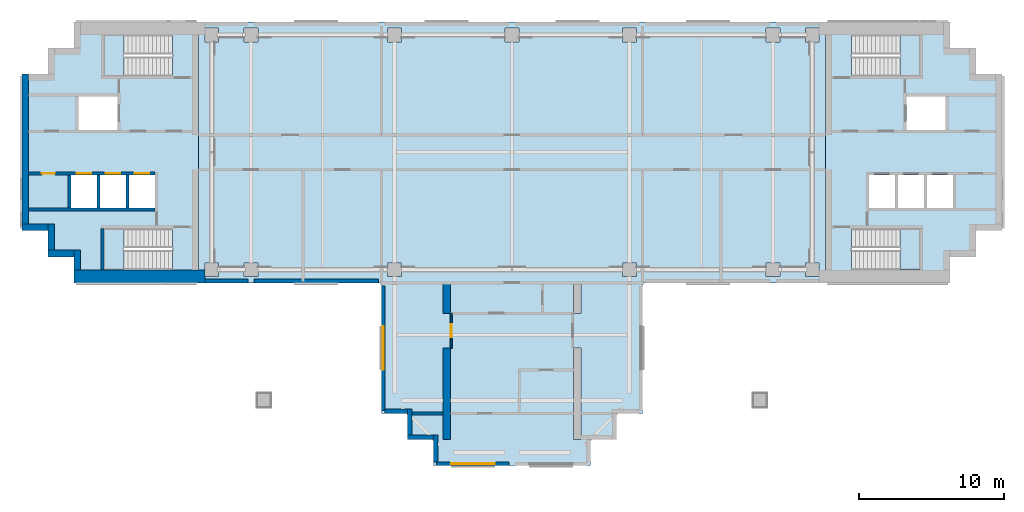
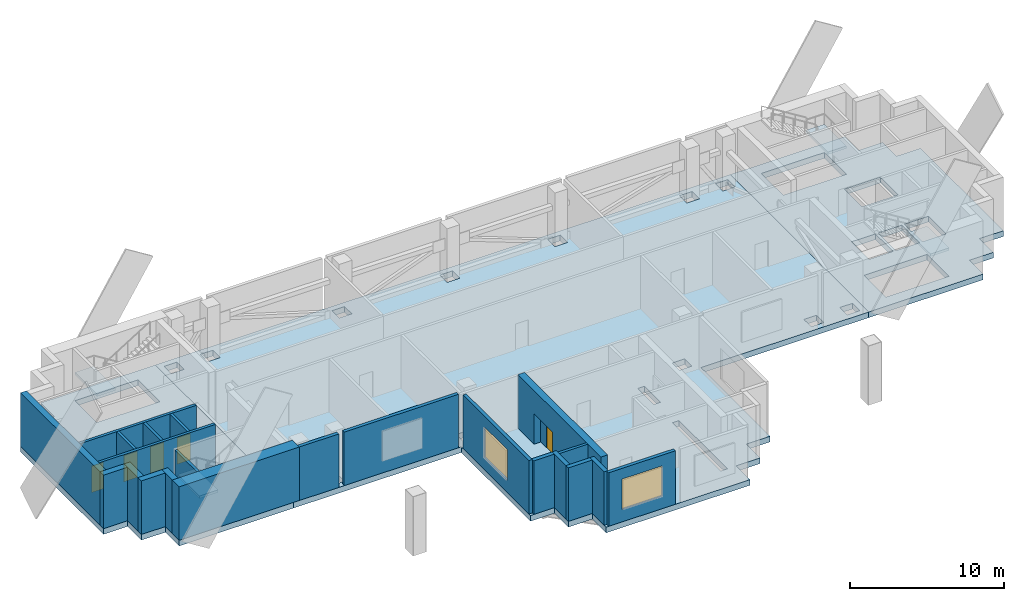
# One storey, part 2 of 8: 23 walls, 7 slabs, 5 doors, 2 windows, 7 openings, 4 elements without a shape of their own.
"""IFC4 building model written with IfcOpenShell, lengths in metres."""

from ifc_helpers import new_model, si_unit, direction, frame, frame_2d, origin, place, context, subcontext, project, spatial, polyline, rectangle, outline, extrude, material, layer, layer_set, material_profile, profile_set, type_object, element, fill, aggregate, save


model = new_model("IFC4")

# Units and contexts
model_context = context("Model", 3, precision=1e-05, world=origin(), true_north=direction((0.0, 1.0)))
body_context = subcontext(model_context, "Body", "Model", "MODEL_VIEW")
ifc_project = project(units=[si_unit("LENGTHUNIT", "METRE"), si_unit("AREAUNIT", "SQUARE_METRE"), si_unit("VOLUMEUNIT", "CUBIC_METRE"), si_unit("PLANEANGLEUNIT", "RADIAN"), si_unit("MASSUNIT", "GRAM", prefix="KILO")], contexts=[model_context])

# Site, building, storey
site_placement = place(None, origin())
site = spatial("IfcSite", under=ifc_project, at=site_placement, CompositionType="ELEMENT")
building_placement = place(site_placement, origin())
building = spatial("IfcBuilding", under=site, at=building_placement, Name="Perihelion Cross Residences", CompositionType="ELEMENT")
storey_placement = place(building_placement, frame((0.0, 0.0, 228.0)))
storey = spatial("IfcBuildingStorey", under=building, at=storey_placement, Name="L57", CompositionType="ELEMENT", Elevation=228.0)

# Slabs
ifc_material_1 = material(Name="Concrete C40/50", Category="concrete")
ifc_layer_1 = layer(ifc_material_1, 0.449951171875)
ifc_layer_set_1 = layer_set([ifc_layer_1], Name="Core floor slab 450")
slab_type_1 = type_object("IfcSlabType", Name="Core floor slab 450", PredefinedType="FLOOR", material=ifc_layer_set_1)
slab_1_placement = place(storey_placement, frame((0.0, 0.0, -0.449951171875)))
element("IfcSlab", 1, at=slab_1_placement, inside=storey, type_object=slab_type_1, Name="East core floor slab", PredefinedType="FLOOR", context=body_context, shape_type="SweptSolid", body=[
    extrude(outline(polyline([(30.199951171875, 7.199951171875), (32.0, 7.199951171875), (32.0, 5.39990234375), (33.800048828125, 5.39990234375), (33.800048828125, -5.39990234375), (32.0, -5.39990234375), (32.0, -7.199951171875), (30.199951171875, -7.199951171875), (30.199951171875, -9.0), (21.60009765625, -9.0), (21.60009765625, 9.0), (30.199951171875, 9.0), (30.199951171875, 7.199951171875)]), holes=[polyline([(28.14990234375, -8.10009765625), (28.14990234375, -5.25), (23.405029296875, -5.25), (23.405029296875, -8.10009765625), (28.14990234375, -8.10009765625)]), polyline([(24.60009765625, -1.550048828125), (24.60009765625, -3.85009765625), (26.39990234375, -3.85009765625), (26.39990234375, -1.550048828125), (24.60009765625, -1.550048828125)]), polyline([(26.60009765625, -1.550048828125), (26.60009765625, -3.85009765625), (28.39990234375, -3.85009765625), (28.39990234375, -1.550048828125), (26.60009765625, -1.550048828125)]), polyline([(28.60009765625, -3.85009765625), (30.39990234375, -3.85009765625), (30.39990234375, -1.550048828125), (28.60009765625, -1.550048828125), (28.60009765625, -3.85009765625)]), polyline([(27.199951171875, 3.85009765625), (27.199951171875, 1.550048828125), (29.89990234375, 1.550048828125), (29.89990234375, 3.85009765625), (27.199951171875, 3.85009765625)]), polyline([(23.405029296875, 5.25), (28.14990234375, 5.25), (28.14990234375, 8.10009765625), (23.405029296875, 8.10009765625), (23.405029296875, 5.25)])]), origin(), (0.0, 0.0, 1.0), 0.449951171875),
])
slab_2_placement = place(storey_placement, frame((0.0, 0.0, -0.449951171875)))
element("IfcSlab", 2, at=slab_2_placement, inside=storey, type_object=slab_type_1, Name="West core floor slab", PredefinedType="FLOOR", context=body_context, shape_type="SweptSolid", body=[
    extrude(outline(polyline([(-30.199951171875, 7.199951171875), (-32.0, 7.199951171875), (-32.0, 5.39990234375), (-33.800048828125, 5.39990234375), (-33.800048828125, -5.39990234375), (-32.0, -5.39990234375), (-32.0, -7.199951171875), (-30.199951171875, -7.199951171875), (-30.199951171875, -9.0), (-21.60009765625, -9.0), (-21.60009765625, 9.0), (-30.199951171875, 9.0), (-30.199951171875, 7.199951171875)]), holes=[polyline([(-28.14990234375, -8.10009765625), (-28.14990234375, -5.25), (-23.405029296875, -5.25), (-23.405029296875, -8.10009765625), (-28.14990234375, -8.10009765625)]), polyline([(-24.60009765625, -1.550048828125), (-24.60009765625, -3.85009765625), (-26.39990234375, -3.85009765625), (-26.39990234375, -1.550048828125), (-24.60009765625, -1.550048828125)]), polyline([(-26.60009765625, -1.550048828125), (-26.60009765625, -3.85009765625), (-28.39990234375, -3.85009765625), (-28.39990234375, -1.550048828125), (-26.60009765625, -1.550048828125)]), polyline([(-28.60009765625, -3.85009765625), (-30.39990234375, -3.85009765625), (-30.39990234375, -1.550048828125), (-28.60009765625, -1.550048828125), (-28.60009765625, -3.85009765625)]), polyline([(-27.199951171875, 3.85009765625), (-27.199951171875, 1.550048828125), (-29.89990234375, 1.550048828125), (-29.89990234375, 3.85009765625), (-27.199951171875, 3.85009765625)]), polyline([(-23.405029296875, 5.25), (-28.14990234375, 5.25), (-28.14990234375, 8.10009765625), (-23.405029296875, 8.10009765625), (-23.405029296875, 5.25)])]), origin(), (0.0, 0.0, 1.0), 0.449951171875),
])

# Stair, slab
ifc_material_2 = material(Name="Concrete C40/50", Category="concrete")
stair_type = type_object("IfcStairType", Name="Exit stair, half-turn", PredefinedType="HALF_TURN_STAIR", material=ifc_material_2)
stair_1_placement = place(storey_placement, origin())
stair_1 = element("IfcStair", 3, at=stair_1_placement, inside=storey, type_object=stair_type, Name="L57 East core exit stair 1", PredefinedType="HALF_TURN_STAIR")
ifc_material_3 = material(Name="Concrete C40/50", Category="concrete")
ifc_layer_2 = layer(ifc_material_3, 0.199951171875)
ifc_layer_set_2 = layer_set([ifc_layer_2], Name="Exit stair landing 200")
slab_type_2 = type_object("IfcSlabType", Name="Exit stair landing 200", PredefinedType="LANDING", material=ifc_layer_set_2)
slab_3_placement = place(storey_placement, frame((0.0, 0.0, 2.050048828125)))
slab_3 = element("IfcSlab", 4, at=slab_3_placement, type_object=slab_type_2, Name="ST-E1 landing 1", PredefinedType="LANDING", context=body_context, shape_type="SweptSolid", body=[
    extrude(outline(polyline([(26.760009765625, 5.25), (28.14990234375, 5.25), (28.14990234375, 8.10009765625), (26.760009765625, 8.10009765625), (26.760009765625, 5.25)])), origin(), (0.0, 0.0, 1.0), 0.199951171875),
])
aggregate(stair_1, [slab_3])

stair_2_placement = place(storey_placement, origin())
stair_2 = element("IfcStair", 5, at=stair_2_placement, inside=storey, type_object=stair_type, Name="L57 East core exit stair 2", PredefinedType="HALF_TURN_STAIR")
slab_4_placement = place(storey_placement, frame((0.0, 0.0, 2.050048828125)))
slab_4 = element("IfcSlab", 6, at=slab_4_placement, type_object=slab_type_2, Name="ST-E2 landing 1", PredefinedType="LANDING", context=body_context, shape_type="SweptSolid", body=[
    extrude(outline(polyline([(26.760009765625, -8.10009765625), (28.14990234375, -8.10009765625), (28.14990234375, -5.25), (26.760009765625, -5.25), (26.760009765625, -8.10009765625)])), origin(), (0.0, 0.0, 1.0), 0.199951171875),
])
aggregate(stair_2, [slab_4])

stair_3_placement = place(storey_placement, origin())
stair_3 = element("IfcStair", 7, at=stair_3_placement, inside=storey, type_object=stair_type, Name="L57 West core exit stair 1", PredefinedType="HALF_TURN_STAIR")
slab_5_placement = place(storey_placement, frame((0.0, 0.0, 2.050048828125)))
slab_5 = element("IfcSlab", 8, at=slab_5_placement, type_object=slab_type_2, Name="ST-W1 landing 1", PredefinedType="LANDING", context=body_context, shape_type="SweptSolid", body=[
    extrude(outline(polyline([(-26.760009765625, 8.10009765625), (-28.14990234375, 8.10009765625), (-28.14990234375, 5.25), (-26.760009765625, 5.25), (-26.760009765625, 8.10009765625)])), origin(), (0.0, 0.0, 1.0), 0.199951171875),
])
aggregate(stair_3, [slab_5])

stair_4_placement = place(storey_placement, origin())
stair_4 = element("IfcStair", 9, at=stair_4_placement, inside=storey, type_object=stair_type, Name="L57 West core exit stair 2", PredefinedType="HALF_TURN_STAIR")
slab_6_placement = place(storey_placement, frame((0.0, 0.0, 2.050048828125)))
slab_6 = element("IfcSlab", 10, at=slab_6_placement, type_object=slab_type_2, Name="ST-W2 landing 1", PredefinedType="LANDING", context=body_context, shape_type="SweptSolid", body=[
    extrude(outline(polyline([(-26.760009765625, -5.25), (-28.14990234375, -5.25), (-28.14990234375, -8.10009765625), (-26.760009765625, -8.10009765625), (-26.760009765625, -5.25)])), origin(), (0.0, 0.0, 1.0), 0.199951171875),
])
aggregate(stair_4, [slab_6])

# Slab
ifc_material_4 = material(Name="Concrete C50/60", Category="concrete")
ifc_layer_3 = layer(ifc_material_4, 0.449951171875)
ifc_layer_set_3 = layer_set([ifc_layer_3], Name="Refuge floor post-tensioned slab concrete C50/60")
slab_type_3 = type_object("IfcSlabType", Name="Refuge floor post-tensioned slab concrete C50/60", PredefinedType="FLOOR", material=ifc_layer_set_3)
slab_7_placement = place(storey_placement, frame((0.0, 0.0, -0.449951171875)))
element("IfcSlab", 11, at=slab_7_placement, inside=storey, type_object=slab_type_3, Name="Slab SL10 L57 1 no. 1", PredefinedType="FLOOR", context=body_context, shape_type="SweptSolid", body=[
    extrude(outline(polyline([(-9.0, 9.0), (9.0, 9.0), (21.60009765625, 9.0), (21.60009765625, -9.0), (9.0, -9.0), (9.0, -18.0), (7.199951171875, -18.0), (7.199951171875, -19.800048828125), (5.39990234375, -19.800048828125), (5.39990234375, -21.60009765625), (-5.39990234375, -21.60009765625), (-5.39990234375, -19.800048828125), (-7.199951171875, -19.800048828125), (-7.199951171875, -18.0), (-9.0, -18.0), (-9.0, -9.0), (-21.60009765625, -9.0), (-21.60009765625, 9.0), (-9.0, 9.0)]), holes=[polyline([(-4.25, -13.5), (-4.75, -13.5), (-4.75, -19.800048828125), (-4.25, -19.800048828125), (-4.25, -13.5)]), polyline([(-4.25, -9.0), (-4.75, -9.0), (-4.75, -11.10009765625), (-4.25, -11.10009765625), (-4.25, -9.0)]), polyline([(-20.22509765625, -7.625), (-21.175048828125, -7.625), (-21.175048828125, -8.574951171875), (-20.22509765625, -8.574951171875), (-20.22509765625, -7.625)]), polyline([(-17.52490234375, -7.625), (-18.47509765625, -7.625), (-18.47509765625, -8.574951171875), (-17.52490234375, -8.574951171875), (-17.52490234375, -7.625)]), polyline([(-7.625, -7.625), (-8.574951171875, -7.625), (-8.574951171875, -8.574951171875), (-7.625, -8.574951171875), (-7.625, -7.625)]), polyline([(-20.22509765625, 8.574951171875), (-21.175048828125, 8.574951171875), (-21.175048828125, 7.625), (-20.22509765625, 7.625), (-20.22509765625, 8.574951171875)]), polyline([(-17.52490234375, 7.625), (-17.52490234375, 8.574951171875), (-18.47509765625, 8.574951171875), (-18.47509765625, 7.625), (-17.52490234375, 7.625)]), polyline([(-7.625, 7.625), (-7.625, 8.574951171875), (-8.574951171875, 8.574951171875), (-8.574951171875, 7.625), (-7.625, 7.625)]), polyline([(0.47509765625, 8.574951171875), (-0.47509765625, 8.574951171875), (-0.47509765625, 7.625), (0.47509765625, 7.625), (0.47509765625, 8.574951171875)]), polyline([(4.75, -13.5), (4.25, -13.5), (4.25, -19.800048828125), (4.75, -19.800048828125), (4.75, -13.5)]), polyline([(4.75, -9.0), (4.25, -9.0), (4.25, -11.10009765625), (4.75, -11.10009765625), (4.75, -9.0)]), polyline([(8.574951171875, -8.574951171875), (8.574951171875, -7.625), (7.625, -7.625), (7.625, -8.574951171875), (8.574951171875, -8.574951171875)]), polyline([(18.47509765625, -8.574951171875), (18.47509765625, -7.625), (17.52490234375, -7.625), (17.52490234375, -8.574951171875), (18.47509765625, -8.574951171875)]), polyline([(21.175048828125, -7.625), (20.22509765625, -7.625), (20.22509765625, -8.574951171875), (21.175048828125, -8.574951171875), (21.175048828125, -7.625)]), polyline([(8.574951171875, 8.574951171875), (7.625, 8.574951171875), (7.625, 7.625), (8.574951171875, 7.625), (8.574951171875, 8.574951171875)]), polyline([(18.47509765625, 7.625), (18.47509765625, 8.574951171875), (17.52490234375, 8.574951171875), (17.52490234375, 7.625), (18.47509765625, 7.625)]), polyline([(21.175048828125, 7.625), (21.175048828125, 8.574951171875), (20.22509765625, 8.574951171875), (20.22509765625, 7.625), (21.175048828125, 7.625)])]), origin(), (0.0, 0.0, 1.0), 0.449951171875),
])

# Walls
ifc_material_5 = material(Name="Plasterboard partition")
ifc_layer_4 = layer(ifc_material_5, 0.199951171875)
ifc_layer_set_4 = layer_set([ifc_layer_4], Name="Apartment riser wall 200")
wall_type_1 = type_object("IfcWallType", Name="Apartment riser wall 200", PredefinedType="PARTITIONING", material=ifc_layer_set_4)
wall_1_placement = place(storey_placement, frame((-4.75, -18.0, 0.0), z_axis=(0.0, 0.0, 1.0), x_axis=(-1.0, 0.0, 0.0)))
element("IfcWall", 12, at=wall_1_placement, inside=storey, type_object=wall_type_1, Name="Partition L57 W018", PredefinedType="PARTITIONING", context=body_context, shape_type="SweptSolid", body=[
    extrude(rectangle(XDim=2.14990234375, YDim=0.199951171875, at=frame_2d((1.074951171875, 0.0))), origin(), (0.0, 0.0, 1.0), 4.25),
])
ifc_material_6 = material(Name="Concrete C30/37, bronze-clad", Category="concrete")
ifc_layer_5 = layer(ifc_material_6, 0.300048828125)
ifc_layer_set_5 = layer_set([ifc_layer_5], Name="Bronze-clad serration wall 300")
wall_type_2 = type_object("IfcWallType", Name="Bronze-clad serration wall 300", PredefinedType="SOLIDWALL", material=ifc_layer_set_5)
wall_2_placement = place(storey_placement, frame((-8.75, -17.85009765625, 0.0), z_axis=(0.0, 0.0, 1.0), x_axis=(1.0, 0.0, 0.0)))
element("IfcWall", 13, at=wall_2_placement, inside=storey, type_object=wall_type_2, Name="Wall SR1 L57 south corner south-west 1", PredefinedType="SOLIDWALL", context=body_context, shape_type="SweptSolid", body=[
    extrude(rectangle(XDim=1.550048828125, YDim=0.300048828125, at=frame_2d((0.77490234375, 0.0))), origin(), (0.0, 0.0, 1.0), 4.25),
])
for number, where, z_axis, x_axis, name in (
    (14, (-7.050048828125, -17.699951171875, 0.0), (0.0, 0.0, 1.0), (0.0, -1.0, 0.0), "Wall SR1 L57 south corner south-west 2"),
    (15, (-7.199951171875, -19.64990234375, 0.0), (0.0, 0.0, 1.0), (1.0, 0.0, 0.0), "Wall SR1 L57 south corner south-west 3"),
):
    element("IfcWall", number, at=place(storey_placement, frame(where, z_axis=z_axis, x_axis=x_axis)), inside=storey, type_object=wall_type_2, Name=name, PredefinedType="SOLIDWALL", context=body_context, shape_type="SweptSolid", body=[
        extrude(rectangle(XDim=1.800048828125, YDim=0.300048828125, at=frame_2d((0.89990234375, 0.0))), origin(), (0.0, 0.0, 1.0), 4.25),
    ])
wall_3_placement = place(storey_placement, frame((-5.25, -19.5, 0.0), z_axis=(0.0, 0.0, 1.0), x_axis=(0.0, -1.0, 0.0)))
element("IfcWall", 16, at=wall_3_placement, inside=storey, type_object=wall_type_2, Name="Wall SR1 L57 south corner south-west 4", PredefinedType="SOLIDWALL", context=body_context, shape_type="SweptSolid", body=[
    extrude(rectangle(XDim=1.85009765625, YDim=0.300048828125, at=frame_2d((0.925048828125, 0.0))), origin(), (0.0, 0.0, 1.0), 4.25),
])
ifc_material_7 = material(Name="Concrete C60/75", Category="concrete")
ifc_layer_6 = layer(ifc_material_7, 0.449951171875)
ifc_layer_set_6 = layer_set([ifc_layer_6], Name="Core wall, outer 450")
wall_type_3 = type_object("IfcWallType", Name="Core wall, outer 450", PredefinedType="SHEAR", material=ifc_layer_set_6)
wall_4_placement = place(storey_placement, frame((-29.97509765625, -8.10009765625, 0.0), z_axis=(0.0, 0.0, 1.0), x_axis=(0.0, 1.0, 0.0)))
element("IfcWall", 17, at=wall_4_placement, inside=storey, type_object=wall_type_3, Name="West core core wall, outer", PredefinedType="SHEAR", context=body_context, shape_type="SweptSolid", body=[
    extrude(rectangle(XDim=1.35009765625, YDim=0.449951171875, at=frame_2d((0.675048828125, 0.0))), origin(), (0.0, 0.0, 1.0), 4.25),
])
for number, where, z_axis, x_axis, name in (
    (18, (-32.0, -6.97509765625, 0.0), (0.0, 0.0, 1.0), (1.0, 0.0, 0.0), "West core core wall, outer"),
    (19, (-31.77490234375, -6.75, 0.0), (0.0, 0.0, 1.0), (0.0, 1.0, 0.0), "West core core wall, outer"),
    (20, (-33.800048828125, -5.175048828125, 0.0), (0.0, 0.0, 1.0), (1.0, 0.0, 0.0), "West core core wall, outer"),
):
    element("IfcWall", number, at=place(storey_placement, frame(where, z_axis=z_axis, x_axis=x_axis)), inside=storey, type_object=wall_type_3, Name=name, PredefinedType="SHEAR", context=body_context, shape_type="SweptSolid", body=[
        extrude(rectangle(XDim=1.800048828125, YDim=0.449951171875, at=frame_2d((0.89990234375, 0.0))), origin(), (0.0, 0.0, 1.0), 4.25),
    ])
wall_5_placement = place(storey_placement, frame((-33.574951171875, -4.949951171875, 0.0), z_axis=(0.0, 0.0, 1.0), x_axis=(0.0, 1.0, 0.0)))
element("IfcWall", 21, at=wall_5_placement, inside=storey, type_object=wall_type_3, Name="West core core wall, outer", PredefinedType="SHEAR", context=body_context, shape_type="SweptSolid", body=[
    extrude(rectangle(XDim=10.349853515625, YDim=0.449951171875, at=frame_2d((5.1748046875, 0.0))), origin(), (0.0, 0.0, 1.0), 4.25),
])
ifc_material_8 = material(Name="Concrete C60/75", Category="concrete")
ifc_layer_7 = layer(ifc_material_8, 0.89990234375)
ifc_layer_set_7 = layer_set([ifc_layer_7], Name="Core wall, outer 900")
wall_type_4 = type_object("IfcWallType", Name="Core wall, outer 900", PredefinedType="SHEAR", material=ifc_layer_set_7)
wall_6_placement = place(storey_placement, frame((-30.199951171875, -8.550048828125, 0.0), z_axis=(0.0, 0.0, 1.0), x_axis=(1.0, 0.0, 0.0)))
element("IfcWall", 22, at=wall_6_placement, inside=storey, type_object=wall_type_4, Name="West core core wall, outer", PredefinedType="SHEAR", context=body_context, shape_type="SweptSolid", body=[
    extrude(rectangle(XDim=9.02490234375, YDim=0.89990234375, at=frame_2d((4.512451171875, 0.0))), origin(), (0.0, 0.0, 1.0), 4.25),
])

# Wall, opening, door
ifc_material_9 = material(Name="Plasterboard partition")
ifc_layer_8 = layer(ifc_material_9, 0.1201171875)
ifc_layer_set_8 = layer_set([ifc_layer_8], Name="Infill panel 120")
wall_type_5 = type_object("IfcWallType", Name="Infill panel 120", PredefinedType="PARTITIONING", material=ifc_layer_set_8)
wall_7_placement = place(storey_placement, frame((-4.18994140625, -11.10009765625, 0.0), z_axis=(0.0, 0.0, 1.0), x_axis=(0.0, -1.0, 0.0)))
wall_7 = element("IfcWall", 23, at=wall_7_placement, inside=storey, type_object=wall_type_5, Name="Partition L57 WI02", PredefinedType="PARTITIONING", context=body_context, shape_type="SweptSolid", body=[
    extrude(rectangle(XDim=2.39990234375, YDim=0.1201171875, at=frame_2d((1.199951171875, 0.0))), origin(), (0.0, 0.0, 1.0), 2.39990234375),
])
opening_1_placement = place(wall_7_placement, frame((0.75, 0.0, 0.0)))
opening_1 = element("IfcOpeningElement", 24, at=opening_1_placement, cuts=wall_7, Name="Opening L57.A15", PredefinedType="OPENING", context=body_context, shape_type="SweptSolid", body=[
    extrude(rectangle(XDim=0.89990234375, YDim=2.10009765625, at=frame_2d((0.449951171875, 1.050048828125))), frame((0.0, 0.070068359375, 0.0), z_axis=(0.0, -1.0, 0.0), x_axis=(1.0, 0.0, 0.0)), (0.0, 0.0, 1.0), 0.14013671875),
])
ifc_material_10 = material(Name="Timber door leaf", Category="wood")
door_type_1 = type_object("IfcDoorType", Name="Interior room door 900 x 2100", OperationType="SINGLE_SWING_LEFT", PredefinedType="DOOR", material=ifc_material_10)
door_1_placement = place(opening_1_placement, origin())
door_1 = element("IfcDoor", 25, at=door_1_placement, inside=storey, type_object=door_type_1, Name="Door L57.A15", OperationType="SINGLE_SWING_LEFT", OverallHeight=2.10009765625, OverallWidth=0.89990234375, PredefinedType="DOOR", context=body_context, shape_type="SweptSolid", body=[
    extrude(rectangle(XDim=0.89990234375, YDim=2.10009765625, at=frame_2d((0.449951171875, 1.050048828125))), frame((0.0, 0.02490234375, 0.0), z_axis=(0.0, -1.0, 0.0), x_axis=(1.0, 0.0, 0.0)), (0.0, 0.0, 1.0), 0.050048828125),
])
fill(opening_1, door_1)

# Walls
ifc_material_11 = material(Name="Concrete C30/37, bronze-clad", Category="concrete")
ifc_layer_9 = layer(ifc_material_11, 0.25)
ifc_layer_set_9 = layer_set([ifc_layer_9], Name="Louvre bay wall 250")
wall_type_6 = type_object("IfcWallType", Name="Louvre bay wall 250", PredefinedType="SOLIDWALL", material=ifc_layer_set_9)
wall_8_placement = place(storey_placement, frame((-21.175048828125, -8.875, 0.0), z_axis=(0.0, 0.0, 1.0), x_axis=(1.0, 0.0, 0.0)))
element("IfcWall", 26, at=wall_8_placement, inside=storey, type_object=wall_type_6, Name="Wall FW2 L57 west side south bay 1 louvre", PredefinedType="SOLIDWALL", context=body_context, shape_type="SweptSolid", body=[
    extrude(rectangle(XDim=2.97509765625, YDim=0.25, at=frame_2d((1.487548828125, 0.0))), origin(), (0.0, 0.0, 1.0), 4.25),
])
wall_9_placement = place(storey_placement, frame((-17.800048828125, -8.875, 0.0), z_axis=(0.0, 0.0, 1.0), x_axis=(1.0, 0.0, 0.0)))
element("IfcWall", 27, at=wall_9_placement, inside=storey, type_object=wall_type_6, Name="Wall FW2 L57 west side south bay 2 louvre", PredefinedType="SOLIDWALL", context=body_context, shape_type="SweptSolid", body=[
    extrude(rectangle(XDim=8.60009765625, YDim=0.25, at=frame_2d((4.300048828125, 0.0))), origin(), (0.0, 0.0, 1.0), 4.25),
])

# Wall, opening, window
wall_10_placement = place(storey_placement, frame((-8.875, -9.199951171875, 0.0), z_axis=(0.0, 0.0, 1.0), x_axis=(0.0, -1.0, 0.0)))
wall_10 = element("IfcWall", 28, at=wall_10_placement, inside=storey, type_object=wall_type_6, Name="Wall FW2 L57 south side west bay 1 louvre", PredefinedType="SOLIDWALL", context=body_context, shape_type="SweptSolid", body=[
    extrude(rectangle(XDim=8.60009765625, YDim=0.25, at=frame_2d((4.300048828125, 0.0))), origin(), (0.0, 0.0, 1.0), 4.25),
])
opening_2_placement = place(wall_10_placement, frame((2.800048828125, 0.0, 1.0)))
opening_2 = element("IfcOpeningElement", 29, at=opening_2_placement, cuts=wall_10, Name="Opening L57.W01", PredefinedType="OPENING", context=body_context, shape_type="SweptSolid", body=[
    extrude(rectangle(XDim=3.0, YDim=2.39990234375, at=frame_2d((1.5, 1.199951171875))), frame((0.0, 0.135009765625, 0.0), z_axis=(0.0, -1.0, 0.0), x_axis=(1.0, 0.0, 0.0)), (0.0, 0.0, 1.0), 0.27001953125),
])
ifc_material_12 = material(Name="Bronze anodised aluminium, louvred", Category="aluminium")
window_type = type_object("IfcWindowType", Name="Louvred vent 3000 x 2400", PartitioningType="SINGLE_PANEL", PredefinedType="WINDOW", material=ifc_material_12)
window_1_placement = place(opening_2_placement, origin())
window_1 = element("IfcWindow", 30, at=window_1_placement, inside=storey, type_object=window_type, Name="Window L57.W01 south side west bay 1 vent", OverallHeight=2.39990234375, OverallWidth=3.0, PartitioningType="SINGLE_PANEL", PredefinedType="WINDOW", context=body_context, shape_type="SweptSolid", body=[
    extrude(rectangle(XDim=3.0, YDim=2.39990234375, at=frame_2d((1.5, 1.199951171875))), frame((0.0, 0.030029296875, 0.0), z_axis=(0.0, -1.0, 0.0), x_axis=(1.0, 0.0, 0.0)), (0.0, 0.0, 1.0), 0.06005859375),
])
fill(opening_2, window_1)

wall_11_placement = place(storey_placement, frame((-5.199951171875, -21.47509765625, 0.0), z_axis=(0.0, 0.0, 1.0), x_axis=(1.0, 0.0, 0.0)))
wall_11 = element("IfcWall", 31, at=wall_11_placement, inside=storey, type_object=wall_type_6, Name="Wall FW2 L57 south tip south bay 1 louvre", PredefinedType="SOLIDWALL", context=body_context, shape_type="SweptSolid", body=[
    extrude(rectangle(XDim=5.0, YDim=0.25, at=frame_2d((2.5, 0.0))), origin(), (0.0, 0.0, 1.0), 4.25),
])
opening_3_placement = place(wall_11_placement, frame((1.0, 0.0, 1.0)))
opening_3 = element("IfcOpeningElement", 32, at=opening_3_placement, cuts=wall_11, Name="Opening L57.W02", PredefinedType="OPENING", context=body_context, shape_type="SweptSolid", body=[
    extrude(rectangle(XDim=3.0, YDim=2.39990234375, at=frame_2d((1.5, 1.199951171875))), frame((0.0, 0.135009765625, 0.0), z_axis=(0.0, -1.0, 0.0), x_axis=(1.0, 0.0, 0.0)), (0.0, 0.0, 1.0), 0.27001953125),
])
window_2_placement = place(opening_3_placement, origin())
window_2 = element("IfcWindow", 33, at=window_2_placement, inside=storey, type_object=window_type, Name="Window L57.W02 south tip south bay 1 vent", OverallHeight=2.39990234375, OverallWidth=3.0, PartitioningType="SINGLE_PANEL", PredefinedType="WINDOW", context=body_context, shape_type="SweptSolid", body=[
    extrude(rectangle(XDim=3.0, YDim=2.39990234375, at=frame_2d((1.5, 1.199951171875))), frame((0.0, 0.030029296875, 0.0), z_axis=(0.0, -1.0, 0.0), x_axis=(1.0, 0.0, 0.0)), (0.0, 0.0, 1.0), 0.06005859375),
])
fill(opening_3, window_2)

# Wall, openings, doors
ifc_material_13 = material(Name="Concrete C50/60", Category="concrete")
ifc_layer_10 = layer(ifc_material_13, 0.199951171875)
ifc_layer_set_10 = layer_set([ifc_layer_10], Name="Shaft wall 200")
wall_type_7 = type_object("IfcWallType", Name="Shaft wall 200", PredefinedType="SOLIDWALL", material=ifc_layer_set_10)
wall_12_placement = place(storey_placement, frame((-33.35009765625, -1.449951171875, 0.0), z_axis=(0.0, 0.0, 1.0), x_axis=(1.0, 0.0, 0.0)))
wall_12 = element("IfcWall", 34, at=wall_12_placement, inside=storey, type_object=wall_type_7, Name="West core shaft wall", PredefinedType="SOLIDWALL", context=body_context, shape_type="SweptSolid", body=[
    extrude(rectangle(XDim=8.75, YDim=0.199951171875, at=frame_2d((4.375, 0.0))), origin(), (0.0, 0.0, 1.0), 4.25),
])
opening_4_placement = place(wall_12_placement, frame((7.35009765625, 0.0, 0.0)))
opening_4 = element("IfcOpeningElement", 35, at=opening_4_placement, cuts=wall_12, Name="Opening L57.C13", PredefinedType="OPENING", context=body_context, shape_type="SweptSolid", body=[
    extrude(rectangle(XDim=1.0, YDim=2.10009765625, at=frame_2d((0.5, 1.050048828125))), frame((0.0, 0.10986328125, 0.0), z_axis=(0.0, -1.0, 0.0), x_axis=(1.0, 0.0, 0.0)), (0.0, 0.0, 1.0), 0.219970703125),
])
opening_5_placement = place(wall_12_placement, frame((5.35009765625, 0.0, 0.0)))
opening_5 = element("IfcOpeningElement", 36, at=opening_5_placement, cuts=wall_12, Name="Opening L57.C15", PredefinedType="OPENING", context=body_context, shape_type="SweptSolid", body=[
    extrude(rectangle(XDim=1.0, YDim=2.10009765625, at=frame_2d((0.5, 1.050048828125))), frame((0.0, 0.10986328125, 0.0), z_axis=(0.0, -1.0, 0.0), x_axis=(1.0, 0.0, 0.0)), (0.0, 0.0, 1.0), 0.219970703125),
])
opening_6_placement = place(wall_12_placement, frame((3.35009765625, 0.0, 0.0)))
opening_6 = element("IfcOpeningElement", 37, at=opening_6_placement, cuts=wall_12, Name="Opening L57.C16", PredefinedType="OPENING", context=body_context, shape_type="SweptSolid", body=[
    extrude(rectangle(XDim=1.0, YDim=2.10009765625, at=frame_2d((0.5, 1.050048828125))), frame((0.0, 0.10986328125, 0.0), z_axis=(0.0, -1.0, 0.0), x_axis=(1.0, 0.0, 0.0)), (0.0, 0.0, 1.0), 0.219970703125),
])
opening_7_placement = place(wall_12_placement, frame((0.925048828125, 0.0, 0.0)))
opening_7 = element("IfcOpeningElement", 38, at=opening_7_placement, cuts=wall_12, Name="Opening L57.C24", PredefinedType="OPENING", context=body_context, shape_type="SweptSolid", body=[
    extrude(rectangle(XDim=0.89990234375, YDim=2.10009765625, at=frame_2d((0.449951171875, 1.050048828125))), frame((0.0, 0.10986328125, 0.0), z_axis=(0.0, -1.0, 0.0), x_axis=(1.0, 0.0, 0.0)), (0.0, 0.0, 1.0), 0.219970703125),
])
ifc_material_14 = material(Name="Stainless steel", Category="steel")
door_type_2 = type_object("IfcDoorType", Name="Landing door 1000", OperationType="DOUBLE_DOOR_SLIDING", PredefinedType="DOOR", material=ifc_material_14)
door_2_placement = place(opening_4_placement, origin())
door_2 = element("IfcDoor", 39, at=door_2_placement, inside=storey, type_object=door_type_2, Name="Landing door, West core high-rise lift 1", OperationType="DOUBLE_DOOR_SLIDING", OverallHeight=2.10009765625, OverallWidth=1.0, PredefinedType="DOOR", context=body_context, shape_type="SweptSolid", body=[
    extrude(rectangle(XDim=1.0, YDim=2.10009765625, at=frame_2d((0.5, 1.050048828125))), frame((0.0, 0.02490234375, 0.0), z_axis=(0.0, -1.0, 0.0), x_axis=(1.0, 0.0, 0.0)), (0.0, 0.0, 1.0), 0.050048828125),
])
fill(opening_4, door_2)
door_3_placement = place(opening_5_placement, origin())
door_3 = element("IfcDoor", 40, at=door_3_placement, inside=storey, type_object=door_type_2, Name="Landing door, West core high-rise lift 2", OperationType="DOUBLE_DOOR_SLIDING", OverallHeight=2.10009765625, OverallWidth=1.0, PredefinedType="DOOR", context=body_context, shape_type="SweptSolid", body=[
    extrude(rectangle(XDim=1.0, YDim=2.10009765625, at=frame_2d((0.5, 1.050048828125))), frame((0.0, 0.02490234375, 0.0), z_axis=(0.0, -1.0, 0.0), x_axis=(1.0, 0.0, 0.0)), (0.0, 0.0, 1.0), 0.050048828125),
])
fill(opening_5, door_3)
door_4_placement = place(opening_6_placement, origin())
door_4 = element("IfcDoor", 41, at=door_4_placement, inside=storey, type_object=door_type_2, Name="Landing door, West core high-rise lift 3", OperationType="DOUBLE_DOOR_SLIDING", OverallHeight=2.10009765625, OverallWidth=1.0, PredefinedType="DOOR", context=body_context, shape_type="SweptSolid", body=[
    extrude(rectangle(XDim=1.0, YDim=2.10009765625, at=frame_2d((0.5, 1.050048828125))), frame((0.0, 0.02490234375, 0.0), z_axis=(0.0, -1.0, 0.0), x_axis=(1.0, 0.0, 0.0)), (0.0, 0.0, 1.0), 0.050048828125),
])
fill(opening_6, door_4)
ifc_material_15 = material(Name="Steel, powder coated", Category="steel")
door_type_3 = type_object("IfcDoorType", Name="Service room door 900", OperationType="SINGLE_SWING_LEFT", PredefinedType="DOOR", material=ifc_material_15)
door_5_placement = place(opening_7_placement, origin())
door_5 = element("IfcDoor", 42, at=door_5_placement, inside=storey, type_object=door_type_3, Name="West core service room door", OperationType="SINGLE_SWING_LEFT", OverallHeight=2.10009765625, OverallWidth=0.89990234375, PredefinedType="DOOR", context=body_context, shape_type="SweptSolid", body=[
    extrude(rectangle(XDim=0.89990234375, YDim=2.10009765625, at=frame_2d((0.449951171875, 1.050048828125))), frame((0.0, 0.02490234375, 0.0), z_axis=(0.0, -1.0, 0.0), x_axis=(1.0, 0.0, 0.0)), (0.0, 0.0, 1.0), 0.050048828125),
])
fill(opening_7, door_5)

# Walls
wall_13_placement = place(storey_placement, frame((-33.35009765625, -3.949951171875, 0.0), z_axis=(0.0, 0.0, 1.0), x_axis=(1.0, 0.0, 0.0)))
element("IfcWall", 43, at=wall_13_placement, inside=storey, type_object=wall_type_7, Name="West core shaft wall", PredefinedType="SOLIDWALL", context=body_context, shape_type="SweptSolid", body=[
    extrude(rectangle(XDim=8.75, YDim=0.199951171875, at=frame_2d((4.375, 0.0))), origin(), (0.0, 0.0, 1.0), 4.25),
])
for number, where, z_axis, x_axis, name in (
    (44, (-26.5, -3.85009765625, 0.0), (0.0, 0.0, 1.0), (0.0, 1.0, 0.0), "West core shaft wall"),
    (45, (-28.5, -3.85009765625, 0.0), (0.0, 0.0, 1.0), (0.0, 1.0, 0.0), "West core shaft wall"),
    (46, (-30.5, -3.85009765625, 0.0), (0.0, 0.0, 1.0), (0.0, 1.0, 0.0), "West core shaft wall"),
):
    element("IfcWall", number, at=place(storey_placement, frame(where, z_axis=z_axis, x_axis=x_axis)), inside=storey, type_object=wall_type_7, Name=name, PredefinedType="SOLIDWALL", context=body_context, shape_type="SweptSolid", body=[
        extrude(rectangle(XDim=2.300048828125, YDim=0.199951171875, at=frame_2d((1.14990234375, 0.0))), origin(), (0.0, 0.0, 1.0), 4.25),
    ])
ifc_material_16 = material(Name="Concrete C50/60", Category="concrete")
ifc_layer_11 = layer(ifc_material_16, 0.199951171875)
ifc_layer_set_11 = layer_set([ifc_layer_11], Name="Stair wall 200")
wall_type_8 = type_object("IfcWallType", Name="Stair wall 200", PredefinedType="SOLIDWALL", material=ifc_layer_set_11)
wall_14_placement = place(storey_placement, frame((-28.25, -8.10009765625, 0.0), z_axis=(0.0, 0.0, 1.0), x_axis=(0.0, 1.0, 0.0)))
element("IfcWall", 47, at=wall_14_placement, inside=storey, type_object=wall_type_8, Name="West core stair wall", PredefinedType="SOLIDWALL", context=body_context, shape_type="SweptSolid", body=[
    extrude(rectangle(XDim=2.85009765625, YDim=0.199951171875, at=frame_2d((1.425048828125, 0.0))), origin(), (0.0, 0.0, 1.0), 4.25),
])
ifc_material_17 = material(Name="Concrete C60/75", Category="concrete")
ifc_material_profile = material_profile(ifc_material_17, outline(polyline([(0.0, 0.0), (6.300048828125, 0.0), (6.300048828125, 2.85009765625), (8.699951171875, 2.85009765625), (8.699951171875, 0.0), (10.800048828125, 0.0), (10.800048828125, 4.699951171875), (0.0, 4.699951171875), (0.0, 0.0)])), Name="Tip spine wall")
ifc_profile_set = profile_set([ifc_material_profile], Name="Concrete C60/75")
wall_type_9 = type_object("IfcWallType", Name="Tip spine wall 500 with 1 door openings 10800 long 4700 high concrete C60/75", PredefinedType="SHEAR", material=ifc_profile_set)
wall_15_placement = place(storey_placement, frame((-4.75, -19.800048828125, -0.449951171875), z_axis=(1.0, 0.0, 0.0), x_axis=(0.0, 1.0, 0.0)))
element("IfcWall", 48, at=wall_15_placement, inside=storey, type_object=wall_type_9, Name="Shear wall SW44 L57 south west", PredefinedType="SHEAR", context=body_context, shape_type="SweptSolid", body=[
    extrude(outline(polyline([(0.0, 0.0), (6.300048828125, 0.0), (6.300048828125, 2.85009765625), (8.699951171875, 2.85009765625), (8.699951171875, 0.0), (10.800048828125, 0.0), (10.800048828125, 4.699951171875), (0.0, 4.699951171875), (0.0, 0.0)])), origin(), (0.0, 0.0, 1.0), 0.5),
])

save(model, "model.ifc")
